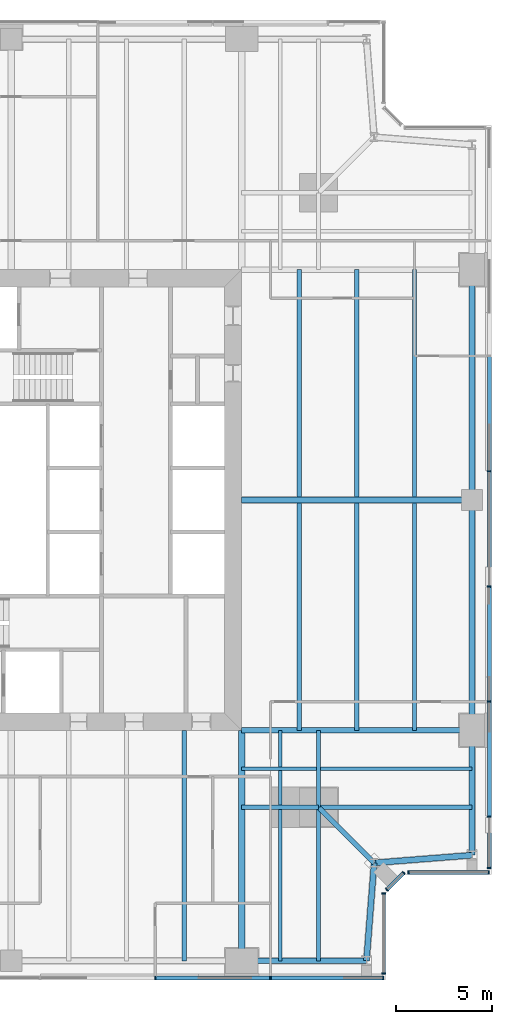
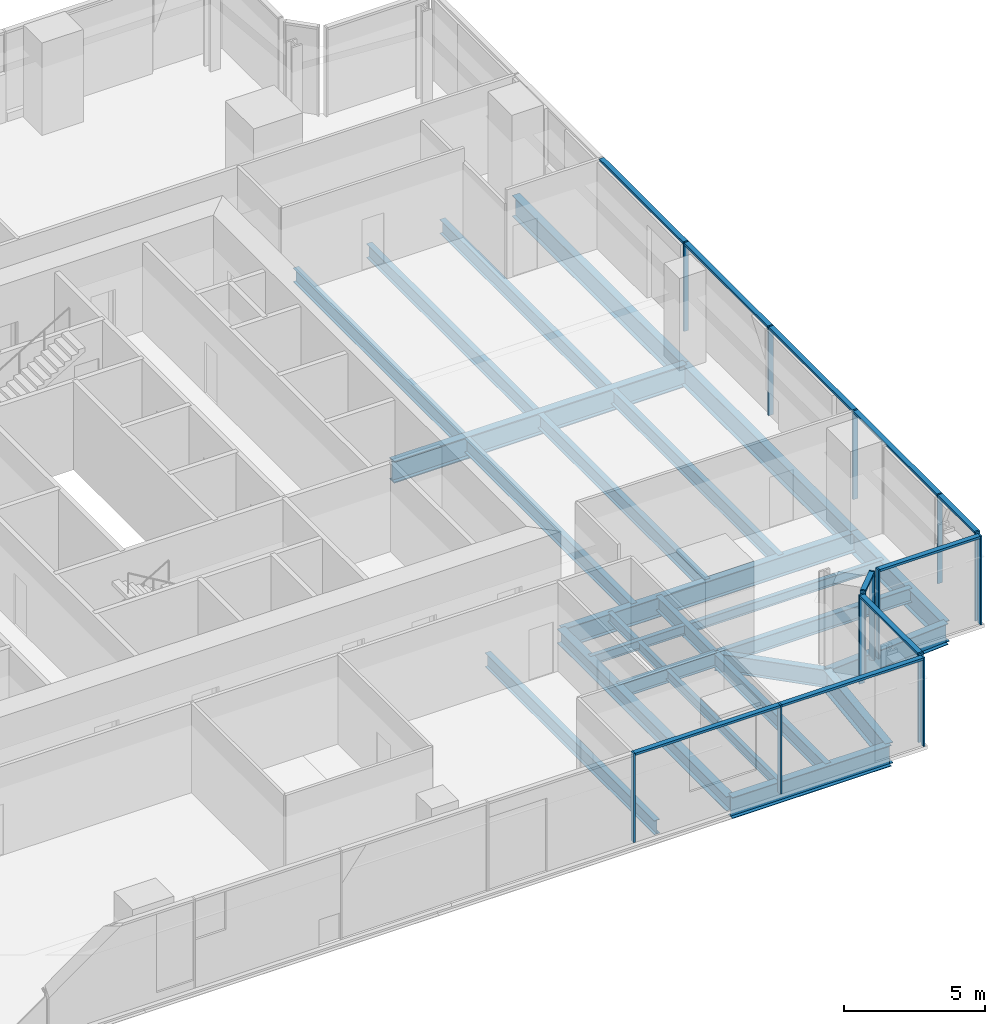
# One storey, part 5 of 14: 26 beams, 24 members, 5 elements without a shape of their own.
"""IFC4 building model written with IfcOpenShell, lengths in metres."""

from ifc_helpers import new_model, si_unit, direction, frame, origin, origin_2d, place, context, subcontext, project, spatial, rectangle, i_section, extrude, material, material_profile, profile_set, type_object, element, aggregate, save


model = new_model("IFC4")

# Units and contexts
model_context = context("Model", 3, precision=1e-05, world=origin(), true_north=direction((0.0, 1.0)))
body_context = subcontext(model_context, "Body", "Model", "MODEL_VIEW")
ifc_project = project(units=[si_unit("LENGTHUNIT", "METRE"), si_unit("AREAUNIT", "SQUARE_METRE"), si_unit("VOLUMEUNIT", "CUBIC_METRE"), si_unit("PLANEANGLEUNIT", "RADIAN"), si_unit("MASSUNIT", "GRAM", prefix="KILO")], contexts=[model_context])

# Site, building, storey
site_placement = place(None, origin())
site = spatial("IfcSite", under=ifc_project, at=site_placement, CompositionType="ELEMENT")
building_placement = place(site_placement, origin())
building = spatial("IfcBuilding", under=site, at=building_placement, Name="Fenwick Lantern Interchange", CompositionType="ELEMENT")
storey_placement = place(building_placement, frame((0.0, 0.0, 205.800048828125)))
storey = spatial("IfcBuildingStorey", under=building, at=storey_placement, Name="L48", CompositionType="ELEMENT", Elevation=205.800048828125)

# Beams
ifc_material_1 = material(Name="Steel ASTM A992 Grade 50", Category="steel")
ifc_material_profile_1 = material_profile(ifc_material_1, i_section(OverallWidth=0.3046875, OverallDepth=0.911865234375, WebThickness=0.015869140625, FlangeThickness=0.02392578125, at=origin_2d()), Name="W36X150")
ifc_profile_set_1 = profile_set([ifc_material_profile_1], Name="Steel ASTM A992 Grade 50")
beam_type_1 = type_object("IfcBeamType", Name="EDGE BEAM W36X150", PredefinedType="SPANDREL", material=ifc_profile_set_1)
beam_1_placement = place(storey_placement, frame((37.0, 1.0, -0.60595703125), z_axis=(1.0, 0.0, 0.0), x_axis=(0.0, 1.0, 0.0)))
element("IfcBeam", 1, at=beam_1_placement, inside=storey, type_object=beam_type_1, Name="L48/FR/S/EB4", PredefinedType="SPANDREL", context=body_context, shape_type="SweptSolid", body=[
    extrude(i_section(OverallWidth=0.3046875, OverallDepth=0.911865234375, WebThickness=0.015869140625, FlangeThickness=0.02392578125, at=origin_2d()), origin(), (0.0, 0.0, 1.0), 6.5),
])
for number, where, z_axis, x_axis, name in (
    (2, (43.5, 1.0, -0.60595703125), (0.078170784639, 0.99693998236, 0.0), (-0.99693998236, 0.078170784639, 0.0), "L48/FR/S/EBR1"),
    (3, (43.89990234375, 6.10009765625, -0.60595703125), (0.99693998236, 0.078170784639, 0.0), (-0.078170784639, 0.99693998236, 0.0), "L48/FR/S/EBR2"),
):
    element("IfcBeam", number, at=place(storey_placement, frame(where, z_axis=z_axis, x_axis=x_axis)), inside=storey, type_object=beam_type_1, Name=name, PredefinedType="SPANDREL", context=body_context, shape_type="SweptSolid", body=[
        extrude(i_section(OverallWidth=0.3046875, OverallDepth=0.911865234375, WebThickness=0.015869140625, FlangeThickness=0.02392578125, at=origin_2d()), origin(), (0.0, 0.0, 1.0), 5.11572265625),
    ])
beam_2_placement = place(storey_placement, frame((49.0, 6.5, -0.60595703125), z_axis=(0.0, 1.0, 0.0), x_axis=(-1.0, 0.0, 0.0)))
element("IfcBeam", 4, at=beam_2_placement, inside=storey, type_object=beam_type_1, Name="L48/FR/E/EB1", PredefinedType="SPANDREL", context=body_context, shape_type="SweptSolid", body=[
    extrude(i_section(OverallWidth=0.3046875, OverallDepth=0.911865234375, WebThickness=0.015869140625, FlangeThickness=0.02392578125, at=origin_2d()), origin(), (0.0, 0.0, 1.0), 6.5),
])
for number, where, z_axis, x_axis, name in (
    (5, (49.0, 13.0, -0.60595703125), (0.0, 1.0, 0.0), (-1.0, 0.0, 0.0), "L48/FR/E/EB2"),
    (6, (49.0, 25.0, -0.60595703125), (0.0, 1.0, 0.0), (-1.0, 0.0, 0.0), "L48/FR/E/EB3"),
):
    element("IfcBeam", number, at=place(storey_placement, frame(where, z_axis=z_axis, x_axis=x_axis)), inside=storey, type_object=beam_type_1, Name=name, PredefinedType="SPANDREL", context=body_context, shape_type="SweptSolid", body=[
        extrude(i_section(OverallWidth=0.3046875, OverallDepth=0.911865234375, WebThickness=0.015869140625, FlangeThickness=0.02392578125, at=origin_2d()), origin(), (0.0, 0.0, 1.0), 12.0),
    ])
ifc_material_profile_2 = material_profile(ifc_material_1, i_section(OverallWidth=0.22900390625, OverallDepth=0.612060546875, WebThickness=0.011962890625, FlangeThickness=0.01953125, at=origin_2d()), Name="W24X84")
ifc_profile_set_2 = profile_set([ifc_material_profile_2], Name="Steel ASTM A992 Grade 50")
beam_type_2 = type_object("IfcBeamType", Name="FLOOR BEAM W24X84", PredefinedType="BEAM", material=ifc_profile_set_2)
beam_3_placement = place(storey_placement, frame((34.0, 1.0, -0.4560546875), z_axis=(0.0, 1.0, 0.0), x_axis=(-1.0, 0.0, 0.0)))
element("IfcBeam", 7, at=beam_3_placement, inside=storey, type_object=beam_type_2, Name="L48/FR/S/R08", PredefinedType="BEAM", context=body_context, shape_type="SweptSolid", body=[
    extrude(i_section(OverallWidth=0.22900390625, OverallDepth=0.612060546875, WebThickness=0.011962890625, FlangeThickness=0.01953125, at=origin_2d()), origin(), (0.0, 0.0, 1.0), 12.0),
])
for number, where, z_axis, x_axis, name in (
    (8, (46.0, 13.0, -0.4560546875), (0.0, 1.0, 0.0), (-1.0, 0.0, 0.0), "L48/FR/E/B01"),
    (9, (43.0, 13.0, -0.4560546875), (0.0, 1.0, 0.0), (-1.0, 0.0, 0.0), "L48/FR/E/B02"),
    (10, (40.0, 13.0, -0.4560546875), (0.0, 1.0, 0.0), (-1.0, 0.0, 0.0), "L48/FR/E/B03"),
    (11, (46.0, 25.155029296875, -0.4560546875), (0.0, 1.0, 0.0), (-1.0, 0.0, 0.0), "L48/FR/E/B04"),
    (12, (43.0, 25.155029296875, -0.4560546875), (0.0, 1.0, 0.0), (-1.0, 0.0, 0.0), "L48/FR/E/B05"),
    (13, (40.0, 25.155029296875, -0.4560546875), (0.0, 1.0, 0.0), (-1.0, 0.0, 0.0), "L48/FR/E/B06"),
):
    element("IfcBeam", number, at=place(storey_placement, frame(where, z_axis=z_axis, x_axis=x_axis)), inside=storey, type_object=beam_type_2, Name=name, PredefinedType="BEAM", context=body_context, shape_type="SweptSolid", body=[
        extrude(i_section(OverallWidth=0.22900390625, OverallDepth=0.612060546875, WebThickness=0.011962890625, FlangeThickness=0.01953125, at=origin_2d()), origin(), (0.0, 0.0, 1.0), 11.844970703125),
    ])
ifc_material_profile_3 = material_profile(ifc_material_1, i_section(OverallWidth=0.177734375, OverallDepth=0.406494140625, WebThickness=0.0078125, FlangeThickness=0.012939453125, at=origin_2d()), Name="W16X40")
ifc_profile_set_3 = profile_set([ifc_material_profile_3], Name="Steel ASTM A992 Grade 50")
beam_type_3 = type_object("IfcBeamType", Name="INFILL BEAM W16X40", PredefinedType="JOIST", material=ifc_profile_set_3)
beam_4_placement = place(storey_placement, frame((49.0, 11.0, -0.353271484375), z_axis=(-1.0, 0.0, 0.0), x_axis=(0.0, -1.0, 0.0)))
element("IfcBeam", 14, at=beam_4_placement, inside=storey, type_object=beam_type_3, Name="L48/FR/E/J1", PredefinedType="JOIST", context=body_context, shape_type="SweptSolid", body=[
    extrude(i_section(OverallWidth=0.177734375, OverallDepth=0.406494140625, WebThickness=0.0078125, FlangeThickness=0.012939453125, at=origin_2d()), origin(), (0.0, 0.0, 1.0), 7.885498046875),
])
beam_5_placement = place(storey_placement, frame((40.885498046875, 11.0, -0.353271484375), z_axis=(-1.0, 0.0, 0.0), x_axis=(0.0, -1.0, 0.0)))
element("IfcBeam", 15, at=beam_5_placement, inside=storey, type_object=beam_type_3, Name="L48/FR/E/J2", PredefinedType="JOIST", context=body_context, shape_type="SweptSolid", body=[
    extrude(i_section(OverallWidth=0.177734375, OverallDepth=0.406494140625, WebThickness=0.0078125, FlangeThickness=0.012939453125, at=origin_2d()), origin(), (0.0, 0.0, 1.0), 3.885498046875),
])
beam_6_placement = place(storey_placement, frame((39.0, 1.0, -0.353271484375), z_axis=(0.0, 1.0, 0.0), x_axis=(-1.0, 0.0, 0.0)))
element("IfcBeam", 16, at=beam_6_placement, inside=storey, type_object=beam_type_3, Name="L48/FR/E/J3", PredefinedType="JOIST", context=body_context, shape_type="SweptSolid", body=[
    extrude(i_section(OverallWidth=0.177734375, OverallDepth=0.406494140625, WebThickness=0.0078125, FlangeThickness=0.012939453125, at=origin_2d()), origin(), (0.0, 0.0, 1.0), 7.885498046875),
])
beam_7_placement = place(storey_placement, frame((39.0, 9.114501953125, -0.353271484375), z_axis=(0.0, 1.0, 0.0), x_axis=(-1.0, 0.0, 0.0)))
element("IfcBeam", 17, at=beam_7_placement, inside=storey, type_object=beam_type_3, Name="L48/FR/E/J4", PredefinedType="JOIST", context=body_context, shape_type="SweptSolid", body=[
    extrude(i_section(OverallWidth=0.177734375, OverallDepth=0.406494140625, WebThickness=0.0078125, FlangeThickness=0.012939453125, at=origin_2d()), origin(), (0.0, 0.0, 1.0), 1.796630859375),
])
beam_8_placement = place(storey_placement, frame((39.0, 11.0888671875, -0.353271484375), z_axis=(0.0, 1.0, 0.0), x_axis=(-1.0, 0.0, 0.0)))
element("IfcBeam", 18, at=beam_8_placement, inside=storey, type_object=beam_type_3, Name="L48/FR/E/J5", PredefinedType="JOIST", context=body_context, shape_type="SweptSolid", body=[
    extrude(i_section(OverallWidth=0.177734375, OverallDepth=0.406494140625, WebThickness=0.0078125, FlangeThickness=0.012939453125, at=origin_2d()), origin(), (0.0, 0.0, 1.0), 1.9111328125),
])
ifc_material_profile_4 = material_profile(ifc_material_1, i_section(OverallWidth=0.22900390625, OverallDepth=0.612060546875, WebThickness=0.011962890625, FlangeThickness=0.01953125, at=origin_2d()), Name="W24X84")
ifc_profile_set_4 = profile_set([ifc_material_profile_4], Name="Steel ASTM A992 Grade 50")
beam_type_4 = type_object("IfcBeamType", Name="MEGA COLUMN BEAM W24X84", PredefinedType="BEAM", material=ifc_profile_set_4)
for number, where, z_axis, x_axis, name in (
    (19, (41.0, 9.0, -0.4560546875), (1.0, 0.0, 0.0), (0.0, 1.0, 0.0), "L48/FR/E/MB1"),
    (20, (41.0, 9.0, -0.4560546875), (0.0, -1.0, 0.0), (1.0, 0.0, 0.0), "L48/FR/E/MB2"),
):
    element("IfcBeam", number, at=place(storey_placement, frame(where, z_axis=z_axis, x_axis=x_axis)), inside=storey, type_object=beam_type_4, Name=name, PredefinedType="BEAM", context=body_context, shape_type="SweptSolid", body=[
        extrude(i_section(OverallWidth=0.22900390625, OverallDepth=0.612060546875, WebThickness=0.011962890625, FlangeThickness=0.01953125, at=origin_2d()), origin(), (0.0, 0.0, 1.0), 8.0),
    ])
for number, where, z_axis, x_axis, name in (
    (21, (41.0, 9.0, -0.4560546875), (0.0, 1.0, 0.0), (-1.0, 0.0, 0.0), "L48/FR/E/MB3"),
    (22, (41.0, 9.0, -0.4560546875), (-1.0, 0.0, 0.0), (0.0, -1.0, 0.0), "L48/FR/E/MB4"),
):
    element("IfcBeam", number, at=place(storey_placement, frame(where, z_axis=z_axis, x_axis=x_axis)), inside=storey, type_object=beam_type_4, Name=name, PredefinedType="BEAM", context=body_context, shape_type="SweptSolid", body=[
        extrude(i_section(OverallWidth=0.22900390625, OverallDepth=0.612060546875, WebThickness=0.011962890625, FlangeThickness=0.01953125, at=origin_2d()), origin(), (0.0, 0.0, 1.0), 4.0),
    ])
ifc_material_profile_5 = material_profile(ifc_material_1, i_section(OverallWidth=0.32763671875, OverallDepth=0.622314453125, WebThickness=0.015380859375, FlangeThickness=0.0244140625, at=origin_2d()), Name="W24X131")
ifc_profile_set_5 = profile_set([ifc_material_profile_5], Name="Steel ASTM A992 Grade 50")
beam_type_5 = type_object("IfcBeamType", Name="MOMENT-CONNECTED GIRDER W24X131", PredefinedType="BEAM", material=ifc_profile_set_5)
beam_9_placement = place(storey_placement, frame((37.0, 1.0, -0.461181640625), z_axis=(0.0, 1.0, 0.0), x_axis=(-1.0, 0.0, 0.0)))
element("IfcBeam", 23, at=beam_9_placement, inside=storey, type_object=beam_type_5, Name="L48/FR/S/R09", PredefinedType="BEAM", context=body_context, shape_type="SweptSolid", body=[
    extrude(i_section(OverallWidth=0.32763671875, OverallDepth=0.622314453125, WebThickness=0.015380859375, FlangeThickness=0.0244140625, at=origin_2d()), origin(), (0.0, 0.0, 1.0), 12.0),
])
ifc_material_profile_6 = material_profile(ifc_material_1, i_section(OverallWidth=0.2919921875, OverallDepth=0.845703125, WebThickness=0.015380859375, FlangeThickness=0.0244140625, at=origin_2d()), Name="W33X141")
ifc_profile_set_6 = profile_set([ifc_material_profile_6], Name="Steel ASTM A992 Grade 50")
beam_type_6 = type_object("IfcBeamType", Name="MOMENT-CONNECTED GIRDER W33X141", PredefinedType="BEAM", material=ifc_profile_set_6)
beam_10_placement = place(storey_placement, frame((49.0, 13.0, -0.572998046875), z_axis=(-1.0, 0.0, 0.0), x_axis=(0.0, -1.0, 0.0)))
element("IfcBeam", 24, at=beam_10_placement, inside=storey, type_object=beam_type_6, Name="L48/FR/E/R01", PredefinedType="BEAM", context=body_context, shape_type="SweptSolid", body=[
    extrude(i_section(OverallWidth=0.2919921875, OverallDepth=0.845703125, WebThickness=0.015380859375, FlangeThickness=0.0244140625, at=origin_2d()), origin(), (0.0, 0.0, 1.0), 12.0),
])
ifc_material_profile_7 = material_profile(ifc_material_1, i_section(OverallWidth=0.309814453125, OverallDepth=0.949951171875, WebThickness=0.0244140625, FlangeThickness=0.0439453125, at=origin_2d()), Name="W36X256")
ifc_profile_set_7 = profile_set([ifc_material_profile_7], Name="Steel ASTM A992 Grade 50")
beam_type_7 = type_object("IfcBeamType", Name="MOMENT-CONNECTED GIRDER W36X256", PredefinedType="BEAM", material=ifc_profile_set_7)
beam_11_placement = place(storey_placement, frame((49.0, 25.0, -0.625), z_axis=(-1.0, 0.0, 0.0), x_axis=(0.0, -1.0, 0.0)))
element("IfcBeam", 25, at=beam_11_placement, inside=storey, type_object=beam_type_7, Name="L48/FR/E/R02", PredefinedType="BEAM", context=body_context, shape_type="SweptSolid", body=[
    extrude(i_section(OverallWidth=0.309814453125, OverallDepth=0.949951171875, WebThickness=0.0244140625, FlangeThickness=0.0439453125, at=origin_2d()), origin(), (0.0, 0.0, 1.0), 12.0),
])
ifc_material_profile_8 = material_profile(ifc_material_1, i_section(OverallWidth=0.2666015625, OverallDepth=0.7568359375, WebThickness=0.013916015625, FlangeThickness=0.019287109375, at=origin_2d()), Name="W30X108")
ifc_profile_set_8 = profile_set([ifc_material_profile_8], Name="Steel ASTM A992 Grade 50")
beam_type_8 = type_object("IfcBeamType", Name="NOTCH BEAM W30X108", PredefinedType="BEAM", material=ifc_profile_set_8)
beam_12_placement = place(storey_placement, frame((41.0, 9.0, -0.528564453125), z_axis=(0.707106781187, -0.707106781187, 0.0), x_axis=(0.707106781187, 0.707106781187, 0.0)))
element("IfcBeam", 26, at=beam_12_placement, inside=storey, type_object=beam_type_8, Name="L48/FR/E/TG", PredefinedType="BEAM", context=body_context, shape_type="SweptSolid", body=[
    extrude(i_section(OverallWidth=0.2666015625, OverallDepth=0.7568359375, WebThickness=0.013916015625, FlangeThickness=0.019287109375, at=origin_2d()), origin(), (0.0, 0.0, 1.0), 4.10107421875),
])

# Curtain wall, members
ifc_material_2 = material(Name="Aluminium curtain wall frame", Category="aluminium")
curtain_wall_type = type_object("IfcCurtainWallType", Name="OFFICE CURTAIN WALL", PredefinedType="USERDEFINED", material=ifc_material_2)
curtain_wall_1_placement = place(storey_placement, origin())
curtain_wall_1 = element("IfcCurtainWall", 27, at=curtain_wall_1_placement, inside=storey, type_object=curtain_wall_type, Name="Office curtain wall 01", ObjectType="OFFICE CURTAIN WALL", PredefinedType="USERDEFINED")
ifc_material_3 = material(Name="Aluminium extrusion", Category="aluminium")
ifc_material_profile_9 = material_profile(ifc_material_3, rectangle(XDim=0.199951171875, YDim=0.06494140625, at=origin_2d()), Name="OFFICE CURTAIN WALL MULLION 65 X 200")
ifc_profile_set_9 = profile_set([ifc_material_profile_9], Name="Aluminium extrusion")
member_type_1 = type_object("IfcMemberType", Name="OFFICE CURTAIN WALL MULLION 65 X 200", PredefinedType="MULLION", material=ifc_profile_set_9)
member_1_placement = place(storey_placement, frame((32.5, 0.10009765625, 0.0), z_axis=(0.0, 0.0, 1.0), x_axis=(0.0, 1.0, 0.0)))
member_1 = element("IfcMember", 28, at=member_1_placement, type_object=member_type_1, Name="L48/CW/01/M05", PredefinedType="MULLION", context=body_context, shape_type="SweptSolid", body=[
    extrude(rectangle(XDim=0.199951171875, YDim=0.06494140625, at=origin_2d()), origin(), (0.0, 0.0, 1.0), 3.849853515625),
])
member_2_placement = place(storey_placement, frame((38.5, 0.10009765625, 0.0), z_axis=(0.0, 0.0, 1.0), x_axis=(0.0, 1.0, 0.0)))
member_2 = element("IfcMember", 29, at=member_2_placement, type_object=member_type_1, Name="L48/CW/01/M06", PredefinedType="MULLION", context=body_context, shape_type="SweptSolid", body=[
    extrude(rectangle(XDim=0.199951171875, YDim=0.06494140625, at=origin_2d()), origin(), (0.0, 0.0, 1.0), 3.849853515625),
])
member_3_placement = place(storey_placement, frame((44.367431640625, 0.10009765625, 0.0), z_axis=(0.0, 0.0, 1.0), x_axis=(0.0, 1.0, 0.0)))
member_3 = element("IfcMember", 30, at=member_3_placement, type_object=member_type_1, Name="L48/CW/01/M07", PredefinedType="MULLION", context=body_context, shape_type="SweptSolid", body=[
    extrude(rectangle(XDim=0.199951171875, YDim=0.06494140625, at=origin_2d()), origin(), (0.0, 0.0, 1.0), 3.849853515625),
])

curtain_wall_2_placement = place(storey_placement, origin())
curtain_wall_2 = element("IfcCurtainWall", 31, at=curtain_wall_2_placement, inside=storey, type_object=curtain_wall_type, Name="Office curtain wall 02", ObjectType="OFFICE CURTAIN WALL", PredefinedType="USERDEFINED")
member_4_placement = place(storey_placement, frame((44.39990234375, 0.33251953125, 0.0), z_axis=(0.0, 0.0, 1.0), x_axis=(-1.0, 0.0, 0.0)))
member_4 = element("IfcMember", 32, at=member_4_placement, type_object=member_type_1, Name="L48/CW/02/M00", PredefinedType="MULLION", context=body_context, shape_type="SweptSolid", body=[
    extrude(rectangle(XDim=0.199951171875, YDim=0.06494140625, at=origin_2d()), origin(), (0.0, 0.0, 1.0), 3.849853515625),
])
member_5_placement = place(storey_placement, frame((44.39990234375, 4.509033203125, 0.0), z_axis=(0.0, 0.0, 1.0), x_axis=(-1.0, 0.0, 0.0)))
member_5 = element("IfcMember", 33, at=member_5_placement, type_object=member_type_1, Name="L48/CW/02/M01", PredefinedType="MULLION", context=body_context, shape_type="SweptSolid", body=[
    extrude(rectangle(XDim=0.199951171875, YDim=0.06494140625, at=origin_2d()), origin(), (0.0, 0.0, 1.0), 3.849853515625),
])

curtain_wall_3_placement = place(storey_placement, origin())
curtain_wall_3 = element("IfcCurtainWall", 34, at=curtain_wall_3_placement, inside=storey, type_object=curtain_wall_type, Name="Office curtain wall 03", ObjectType="OFFICE CURTAIN WALL", PredefinedType="USERDEFINED")
member_6_placement = place(storey_placement, frame((44.564453125, 4.705810546875, 0.0), z_axis=(0.0, 0.0, 1.0), x_axis=(-0.707106781187, 0.707106781187, 0.0)))
member_6 = element("IfcMember", 35, at=member_6_placement, type_object=member_type_1, Name="L48/CW/03/M00", PredefinedType="MULLION", context=body_context, shape_type="SweptSolid", body=[
    extrude(rectangle(XDim=0.199951171875, YDim=0.06494140625, at=origin_2d()), origin(), (0.0, 0.0, 1.0), 3.849853515625),
])
member_7_placement = place(storey_placement, frame((45.435546875, 5.576904296875, 0.0), z_axis=(0.0, 0.0, 1.0), x_axis=(-0.707106781187, 0.707106781187, 0.0)))
member_7 = element("IfcMember", 36, at=member_7_placement, type_object=member_type_1, Name="L48/CW/03/M01", PredefinedType="MULLION", context=body_context, shape_type="SweptSolid", body=[
    extrude(rectangle(XDim=0.199951171875, YDim=0.06494140625, at=origin_2d()), origin(), (0.0, 0.0, 1.0), 3.849853515625),
])

curtain_wall_4_placement = place(storey_placement, origin())
curtain_wall_4 = element("IfcCurtainWall", 37, at=curtain_wall_4_placement, inside=storey, type_object=curtain_wall_type, Name="Office curtain wall 04", ObjectType="OFFICE CURTAIN WALL", PredefinedType="USERDEFINED")
member_8_placement = place(storey_placement, frame((45.691162109375, 5.60009765625, 0.0), z_axis=(0.0, 0.0, 1.0), x_axis=(0.0, 1.0, 0.0)))
member_8 = element("IfcMember", 38, at=member_8_placement, type_object=member_type_1, Name="L48/CW/04/M00", PredefinedType="MULLION", context=body_context, shape_type="SweptSolid", body=[
    extrude(rectangle(XDim=0.199951171875, YDim=0.06494140625, at=origin_2d()), origin(), (0.0, 0.0, 1.0), 3.849853515625),
])
member_9_placement = place(storey_placement, frame((49.867431640625, 5.60009765625, 0.0), z_axis=(0.0, 0.0, 1.0), x_axis=(0.0, 1.0, 0.0)))
member_9 = element("IfcMember", 39, at=member_9_placement, type_object=member_type_1, Name="L48/CW/04/M01", PredefinedType="MULLION", context=body_context, shape_type="SweptSolid", body=[
    extrude(rectangle(XDim=0.199951171875, YDim=0.06494140625, at=origin_2d()), origin(), (0.0, 0.0, 1.0), 3.849853515625),
])

curtain_wall_5_placement = place(storey_placement, origin())
curtain_wall_5 = element("IfcCurtainWall", 40, at=curtain_wall_5_placement, inside=storey, type_object=curtain_wall_type, Name="Office curtain wall 05", ObjectType="OFFICE CURTAIN WALL", PredefinedType="USERDEFINED")
member_10_placement = place(storey_placement, frame((49.89990234375, 5.83251953125, 0.0), z_axis=(0.0, 0.0, 1.0), x_axis=(-1.0, 0.0, 0.0)))
member_10 = element("IfcMember", 41, at=member_10_placement, type_object=member_type_1, Name="L48/CW/05/M00", PredefinedType="MULLION", context=body_context, shape_type="SweptSolid", body=[
    extrude(rectangle(XDim=0.199951171875, YDim=0.06494140625, at=origin_2d()), origin(), (0.0, 0.0, 1.0), 3.849853515625),
])
member_11_placement = place(storey_placement, frame((49.89990234375, 8.5, 0.0), z_axis=(0.0, 0.0, 1.0), x_axis=(-1.0, 0.0, 0.0)))
member_11 = element("IfcMember", 42, at=member_11_placement, type_object=member_type_1, Name="L48/CW/05/M01", PredefinedType="MULLION", context=body_context, shape_type="SweptSolid", body=[
    extrude(rectangle(XDim=0.199951171875, YDim=0.06494140625, at=origin_2d()), origin(), (0.0, 0.0, 1.0), 3.849853515625),
])
member_12_placement = place(storey_placement, frame((49.89990234375, 14.5, 0.0), z_axis=(0.0, 0.0, 1.0), x_axis=(-1.0, 0.0, 0.0)))
member_12 = element("IfcMember", 43, at=member_12_placement, type_object=member_type_1, Name="L48/CW/05/M02", PredefinedType="MULLION", context=body_context, shape_type="SweptSolid", body=[
    extrude(rectangle(XDim=0.199951171875, YDim=0.06494140625, at=origin_2d()), origin(), (0.0, 0.0, 1.0), 3.849853515625),
])
member_13_placement = place(storey_placement, frame((49.89990234375, 20.5, 0.0), z_axis=(0.0, 0.0, 1.0), x_axis=(-1.0, 0.0, 0.0)))
member_13 = element("IfcMember", 44, at=member_13_placement, type_object=member_type_1, Name="L48/CW/05/M03", PredefinedType="MULLION", context=body_context, shape_type="SweptSolid", body=[
    extrude(rectangle(XDim=0.199951171875, YDim=0.06494140625, at=origin_2d()), origin(), (0.0, 0.0, 1.0), 3.849853515625),
])
member_14_placement = place(storey_placement, frame((49.89990234375, 26.5, 0.0), z_axis=(0.0, 0.0, 1.0), x_axis=(-1.0, 0.0, 0.0)))
member_14 = element("IfcMember", 45, at=member_14_placement, type_object=member_type_1, Name="L48/CW/05/M04", PredefinedType="MULLION", context=body_context, shape_type="SweptSolid", body=[
    extrude(rectangle(XDim=0.199951171875, YDim=0.06494140625, at=origin_2d()), origin(), (0.0, 0.0, 1.0), 3.849853515625),
])

# Member
ifc_material_profile_10 = material_profile(ifc_material_3, rectangle(XDim=0.199951171875, YDim=0.10009765625, at=origin_2d()), Name="OFFICE CURTAIN WALL TRANSOM 100 X 200")
ifc_profile_set_10 = profile_set([ifc_material_profile_10], Name="Aluminium extrusion")
member_type_2 = type_object("IfcMemberType", Name="OFFICE CURTAIN WALL TRANSOM 100 X 200", PredefinedType="MULLION", material=ifc_profile_set_10)
member_15_placement = place(storey_placement, frame((32.532470703125, 0.10009765625, 3.800048828125), z_axis=(1.0, 0.0, 0.0), x_axis=(0.0, 1.0, 0.0)))
member_15 = element("IfcMember", 46, at=member_15_placement, type_object=member_type_2, Name="L48/CW/01/T05", PredefinedType="MULLION", context=body_context, shape_type="SweptSolid", body=[
    extrude(rectangle(XDim=0.199951171875, YDim=0.10009765625, at=origin_2d()), origin(), (0.0, 0.0, 1.0), 5.93505859375),
])

member_16_placement = place(storey_placement, frame((38.532470703125, 0.10009765625, 3.800048828125), z_axis=(1.0, 0.0, 0.0), x_axis=(0.0, 1.0, 0.0)))
member_16 = element("IfcMember", 47, at=member_16_placement, type_object=member_type_2, Name="L48/CW/01/T06", PredefinedType="MULLION", context=body_context, shape_type="SweptSolid", body=[
    extrude(rectangle(XDim=0.199951171875, YDim=0.10009765625, at=origin_2d()), origin(), (0.0, 0.0, 1.0), 5.802490234375),
])

aggregate(curtain_wall_1, [member_1, member_2, member_3, member_15, member_16])

member_17_placement = place(storey_placement, frame((44.39990234375, 0.364990234375, 3.800048828125), z_axis=(0.0, 1.0, 0.0), x_axis=(-1.0, 0.0, 0.0)))
member_17 = element("IfcMember", 48, at=member_17_placement, type_object=member_type_2, Name="L48/CW/02/T00", PredefinedType="MULLION", context=body_context, shape_type="SweptSolid", body=[
    extrude(rectangle(XDim=0.199951171875, YDim=0.10009765625, at=origin_2d()), origin(), (0.0, 0.0, 1.0), 4.111328125),
])

aggregate(curtain_wall_2, [member_4, member_5, member_17])

member_18_placement = place(storey_placement, frame((44.58740234375, 4.728759765625, 3.800048828125), z_axis=(0.707106781187, 0.707106781187, 0.0), x_axis=(-0.707106781187, 0.707106781187, 0.0)))
member_18 = element("IfcMember", 49, at=member_18_placement, type_object=member_type_2, Name="L48/CW/03/T00", PredefinedType="MULLION", context=body_context, shape_type="SweptSolid", body=[
    extrude(rectangle(XDim=0.199951171875, YDim=0.10009765625, at=origin_2d()), origin(), (0.0, 0.0, 1.0), 1.1669921875),
])

aggregate(curtain_wall_3, [member_6, member_7, member_18])

member_19_placement = place(storey_placement, frame((45.7236328125, 5.60009765625, 3.800048828125), z_axis=(1.0, 0.0, 0.0), x_axis=(0.0, 1.0, 0.0)))
member_19 = element("IfcMember", 50, at=member_19_placement, type_object=member_type_2, Name="L48/CW/04/T00", PredefinedType="MULLION", context=body_context, shape_type="SweptSolid", body=[
    extrude(rectangle(XDim=0.199951171875, YDim=0.10009765625, at=origin_2d()), origin(), (0.0, 0.0, 1.0), 4.111328125),
])

aggregate(curtain_wall_4, [member_8, member_9, member_19])

member_20_placement = place(storey_placement, frame((49.89990234375, 5.864990234375, 3.800048828125), z_axis=(0.0, 1.0, 0.0), x_axis=(-1.0, 0.0, 0.0)))
member_20 = element("IfcMember", 51, at=member_20_placement, type_object=member_type_2, Name="L48/CW/05/T00", PredefinedType="MULLION", context=body_context, shape_type="SweptSolid", body=[
    extrude(rectangle(XDim=0.199951171875, YDim=0.10009765625, at=origin_2d()), origin(), (0.0, 0.0, 1.0), 2.6025390625),
])

member_21_placement = place(storey_placement, frame((49.89990234375, 8.532470703125, 3.800048828125), z_axis=(0.0, 1.0, 0.0), x_axis=(-1.0, 0.0, 0.0)))
member_21 = element("IfcMember", 52, at=member_21_placement, type_object=member_type_2, Name="L48/CW/05/T01", PredefinedType="MULLION", context=body_context, shape_type="SweptSolid", body=[
    extrude(rectangle(XDim=0.199951171875, YDim=0.10009765625, at=origin_2d()), origin(), (0.0, 0.0, 1.0), 5.93505859375),
])

member_22_placement = place(storey_placement, frame((49.89990234375, 14.532470703125, 3.800048828125), z_axis=(0.0, 1.0, 0.0), x_axis=(-1.0, 0.0, 0.0)))
member_22 = element("IfcMember", 53, at=member_22_placement, type_object=member_type_2, Name="L48/CW/05/T02", PredefinedType="MULLION", context=body_context, shape_type="SweptSolid", body=[
    extrude(rectangle(XDim=0.199951171875, YDim=0.10009765625, at=origin_2d()), origin(), (0.0, 0.0, 1.0), 5.93505859375),
])

member_23_placement = place(storey_placement, frame((49.89990234375, 20.532470703125, 3.800048828125), z_axis=(0.0, 1.0, 0.0), x_axis=(-1.0, 0.0, 0.0)))
member_23 = element("IfcMember", 54, at=member_23_placement, type_object=member_type_2, Name="L48/CW/05/T03", PredefinedType="MULLION", context=body_context, shape_type="SweptSolid", body=[
    extrude(rectangle(XDim=0.199951171875, YDim=0.10009765625, at=origin_2d()), origin(), (0.0, 0.0, 1.0), 5.93505859375),
])

member_24_placement = place(storey_placement, frame((49.89990234375, 26.532470703125, 3.800048828125), z_axis=(0.0, 1.0, 0.0), x_axis=(-1.0, 0.0, 0.0)))
member_24 = element("IfcMember", 55, at=member_24_placement, type_object=member_type_2, Name="L48/CW/05/T04", PredefinedType="MULLION", context=body_context, shape_type="SweptSolid", body=[
    extrude(rectangle(XDim=0.199951171875, YDim=0.10009765625, at=origin_2d()), origin(), (0.0, 0.0, 1.0), 5.93505859375),
])

aggregate(curtain_wall_5, [member_10, member_11, member_12, member_13, member_14, member_20, member_21, member_22, member_23, member_24])

save(model, "model.ifc")
